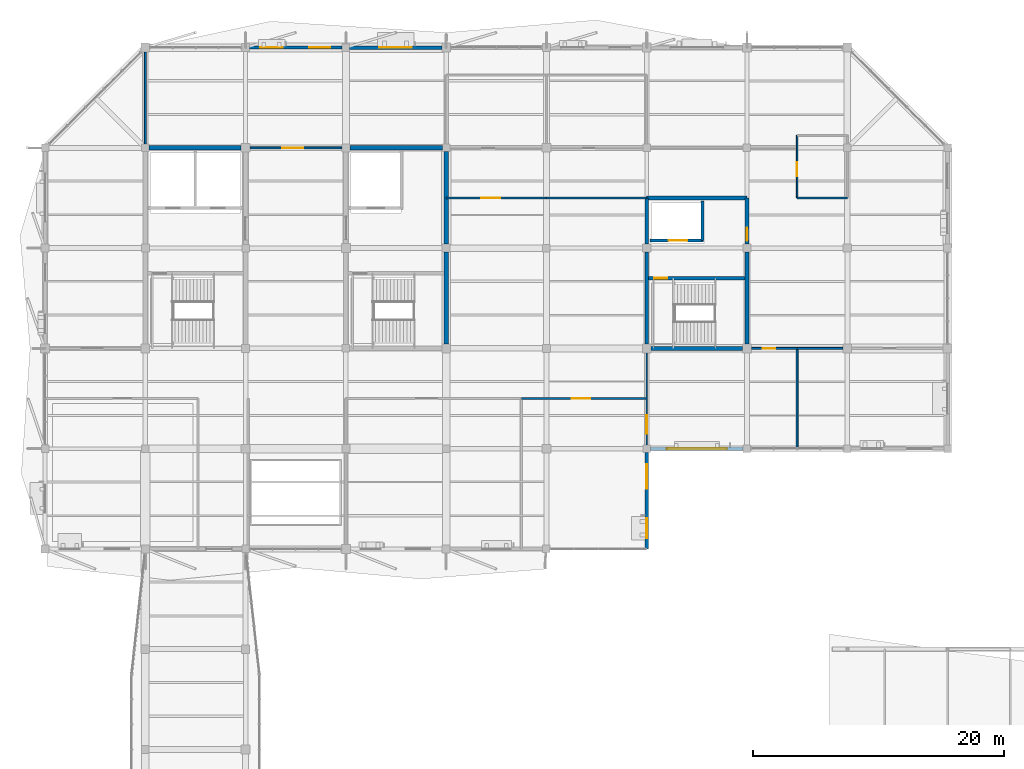
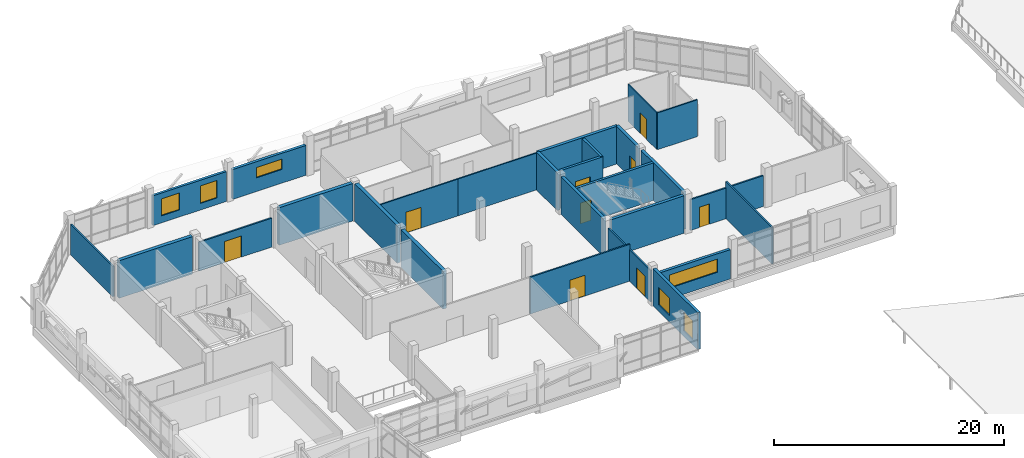
# One storey, part 74 of 84: 28 walls, 9 doors, 6 windows, 15 openings.
"""IFC4 building model written with IfcOpenShell, lengths in metres."""

from ifc_helpers import new_model, si_unit, direction, frame, frame_2d, origin, place, context, subcontext, project, spatial, rectangle, extrude, material, layer, layer_set, type_object, element, fill, save


model = new_model("IFC4")

# Units and contexts
model_context = context("Model", 3, precision=1e-05, world=origin(), true_north=direction((0.0, 1.0)))
body_context = subcontext(model_context, "Body", "Model", "MODEL_VIEW")
ifc_project = project(units=[si_unit("LENGTHUNIT", "METRE"), si_unit("AREAUNIT", "SQUARE_METRE"), si_unit("VOLUMEUNIT", "CUBIC_METRE"), si_unit("PLANEANGLEUNIT", "RADIAN"), si_unit("MASSUNIT", "GRAM", prefix="KILO")], contexts=[model_context])

# Site, building, storey
site_placement = place(None, origin())
site = spatial("IfcSite", under=ifc_project, at=site_placement, CompositionType="ELEMENT")
building_placement = place(site_placement, origin())
building = spatial("IfcBuilding", under=site, at=building_placement, Name="Tenunan Teduh Sports Hall", CompositionType="ELEMENT")
storey_placement = place(building_placement, frame((0.0, 0.0, 10.800048828125)))
storey = spatial("IfcBuildingStorey", under=building, at=storey_placement, Name="L02", CompositionType="ELEMENT", Elevation=10.800048828125)

# Wall, opening, door
ifc_material_1 = material(Name="Concrete C40/50", Category="concrete")
ifc_layer_1 = layer(ifc_material_1, 0.25)
ifc_layer_set_1 = layer_set([ifc_layer_1], Name="Concrete C40/50")
wall_type_1 = type_object("IfcWallType", Name="WL-COR-250", PredefinedType="SOLIDWALL", material=ifc_layer_set_1)
wall_1_placement = place(storey_placement, frame((54.14990234375, 99.60009765625, 0.0), z_axis=(0.0, 0.0, 1.0), x_axis=(1.0, 0.0, 0.0)))
wall_1 = element("IfcWall", 1, at=wall_1_placement, inside=storey, type_object=wall_type_1, Name="WL-COR-L02-142", PredefinedType="SOLIDWALL", context=body_context, shape_type="SweptSolid", body=[
    extrude(rectangle(XDim=7.7001953125, YDim=0.25, at=frame_2d((3.85009765625, 0.0))), origin(), (0.0, 0.0, 1.0), 3.97998046875),
])
opening_1_placement = place(wall_1_placement, frame((0.449951171875, 0.0, 0.0)))
opening_1 = element("IfcOpeningElement", 2, at=opening_1_placement, cuts=wall_1, Name="Opening FD-02", PredefinedType="OPENING", context=body_context, shape_type="SweptSolid", body=[
    extrude(rectangle(XDim=1.050048828125, YDim=2.199951171875, at=frame_2d((0.52490234375, 1.10009765625))), frame((0.0, 0.135009765625, 0.0), z_axis=(0.0, -1.0, 0.0), x_axis=(1.0, 0.0, 0.0)), (0.0, 0.0, 1.0), 0.27001953125),
])
ifc_material_2 = material(Name="Fire-rated steel leaf and frame", Category="steel")
door_type_1 = type_object("IfcDoorType", Name="FDR-02", OperationType="SINGLE_SWING_RIGHT", PredefinedType="DOOR", material=ifc_material_2)
door_1_placement = place(opening_1_placement, frame((1.050048828125, 0.0, 0.0), z_axis=(0.0, 0.0, 1.0), x_axis=(-1.0, 0.0, 0.0)))
door_1 = element("IfcDoor", 3, at=door_1_placement, inside=storey, type_object=door_type_1, Name="DR-INT-L02-054", OperationType="SINGLE_SWING_RIGHT", OverallHeight=2.199951171875, OverallWidth=1.050048828125, PredefinedType="DOOR", context=body_context, shape_type="SweptSolid", body=[
    extrude(rectangle(XDim=1.050048828125, YDim=2.199951171875, at=frame_2d((0.52490234375, 1.10009765625))), frame((0.0, 0.02490234375, 0.0), z_axis=(0.0, -1.0, 0.0), x_axis=(1.0, 0.0, 0.0)), (0.0, 0.0, 1.0), 0.050048828125),
])
fill(opening_1, door_1)

wall_2_placement = place(storey_placement, frame((54.25, 102.60009765625, 0.0), z_axis=(0.0, 0.0, 1.0), x_axis=(1.0, 0.0, 0.0)))
wall_2 = element("IfcWall", 4, at=wall_2_placement, inside=storey, type_object=wall_type_1, Name="WL-COR-L02-143", PredefinedType="SOLIDWALL", context=body_context, shape_type="SweptSolid", body=[
    extrude(rectangle(XDim=4.300048828125, YDim=0.25, at=frame_2d((2.14990234375, 0.0))), origin(), (0.0, 0.0, 1.0), 3.97998046875),
])
opening_2_placement = place(wall_2_placement, frame((1.5, 0.0, 0.0)))
opening_2 = element("IfcOpeningElement", 5, at=opening_2_placement, cuts=wall_2, Name="Opening LD-3", PredefinedType="OPENING", context=body_context, shape_type="SweptSolid", body=[
    extrude(rectangle(XDim=1.5, YDim=2.300048828125, at=frame_2d((0.75, 1.14990234375))), frame((0.0, 0.135009765625, 0.0), z_axis=(0.0, -1.0, 0.0), x_axis=(1.0, 0.0, 0.0)), (0.0, 0.0, 1.0), 0.27001953125),
])
ifc_material_3 = material(Name="Goods lift stainless landing doors")
door_type_2 = type_object("IfcDoorType", Name="LDR-03", OperationType="DOUBLE_DOOR_SLIDING", PredefinedType="DOOR", material=ifc_material_3)
door_2_placement = place(opening_2_placement, origin())
door_2 = element("IfcDoor", 6, at=door_2_placement, inside=storey, type_object=door_type_2, Name="Lift Landing Door LD-22", OperationType="DOUBLE_DOOR_SLIDING", OverallHeight=2.300048828125, OverallWidth=1.5, PredefinedType="DOOR", context=body_context, shape_type="SweptSolid", body=[
    extrude(rectangle(XDim=1.5, YDim=2.300048828125, at=frame_2d((0.75, 1.14990234375))), frame((0.0, 0.02490234375, 0.0), z_axis=(0.0, -1.0, 0.0), x_axis=(1.0, 0.0, 0.0)), (0.0, 0.0, 1.0), 0.050048828125),
])
fill(opening_2, door_2)

# Wall
wall_3_placement = place(storey_placement, frame((58.449951171875, 102.60009765625, 0.0), z_axis=(0.0, 0.0, 1.0), x_axis=(0.0, 1.0, 0.0)))
element("IfcWall", 7, at=wall_3_placement, inside=storey, type_object=wall_type_1, Name="WL-COR-L02-144", PredefinedType="SOLIDWALL", context=body_context, shape_type="SweptSolid", body=[
    extrude(rectangle(XDim=3.14990234375, YDim=0.25, at=frame_2d((1.574951171875, 0.0))), origin(), (0.0, 0.0, 1.0), 3.97998046875),
])

# Wall, openings, windows
ifc_material_4 = material(Name="Precast concrete C40/50", Category="concrete")
ifc_layer_2 = layer(ifc_material_4, 0.25)
ifc_layer_set_2 = layer_set([ifc_layer_2], Name="Precast concrete C40/50")
wall_type_2 = type_object("IfcWallType", Name="WL-EXT-250", PredefinedType="SOLIDWALL", material=ifc_layer_set_2)
wall_4_placement = place(storey_placement, frame((22.324951171875, 118.0, 0.0), z_axis=(0.0, 0.0, 1.0), x_axis=(1.0, 0.0, 0.0)))
wall_4 = element("IfcWall", 8, at=wall_4_placement, inside=storey, type_object=wall_type_2, Name="WL-EXT-L02-187", PredefinedType="SOLIDWALL", context=body_context, shape_type="SweptSolid", body=[
    extrude(rectangle(XDim=7.375, YDim=0.25, at=frame_2d((3.6875, 0.0))), origin(), (0.0, 0.0, 1.0), 3.159912109375),
])
opening_3_placement = place(wall_4_placement, frame((0.85009765625, 0.0, 0.75)))
opening_3 = element("IfcOpeningElement", 9, at=opening_3_placement, cuts=wall_4, Name="Opening W-02", PredefinedType="OPENING", context=body_context, shape_type="SweptSolid", body=[
    extrude(rectangle(XDim=1.800048828125, YDim=1.800048828125, at=frame_2d((0.89990234375, 0.89990234375))), frame((0.0, 0.135009765625, 0.0), z_axis=(0.0, -1.0, 0.0), x_axis=(1.0, 0.0, 0.0)), (0.0, 0.0, 1.0), 0.27001953125),
])
opening_4_placement = place(wall_4_placement, frame((4.77001953125, 0.0, 0.699951171875)))
opening_4 = element("IfcOpeningElement", 10, at=opening_4_placement, cuts=wall_4, Name="Opening W-19", PredefinedType="OPENING", context=body_context, shape_type="SweptSolid", body=[
    extrude(rectangle(XDim=1.64990234375, YDim=1.85009765625, at=frame_2d((0.824951171875, 0.925048828125))), frame((0.0, 0.135009765625, 0.0), z_axis=(0.0, -1.0, 0.0), x_axis=(1.0, 0.0, 0.0)), (0.0, 0.0, 1.0), 0.27001953125),
])
ifc_material_5 = material(Name="Thermally broken aluminium and Low-E glazing", Category="aluminium")
window_type_1 = type_object("IfcWindowType", Name="WIN-02", PartitioningType="DOUBLE_PANEL_VERTICAL", PredefinedType="WINDOW", material=ifc_material_5)
window_1_placement = place(opening_3_placement, origin())
window_1 = element("IfcWindow", 11, at=window_1_placement, inside=storey, type_object=window_type_1, Name="WIN-L02-080", OverallHeight=1.800048828125, OverallWidth=1.800048828125, PartitioningType="SINGLE_PANEL", PredefinedType="WINDOW", context=body_context, shape_type="SweptSolid", body=[
    extrude(rectangle(XDim=1.800048828125, YDim=1.800048828125, at=frame_2d((0.89990234375, 0.89990234375))), frame((0.0, 0.030029296875, 0.0), z_axis=(0.0, -1.0, 0.0), x_axis=(1.0, 0.0, 0.0)), (0.0, 0.0, 1.0), 0.06005859375),
])
fill(opening_3, window_1)
ifc_material_6 = material(Name="Thermally broken aluminium and Low-E glazing", Category="aluminium")
window_type_2 = type_object("IfcWindowType", Name="WIN-19", PartitioningType="DOUBLE_PANEL_VERTICAL", PredefinedType="WINDOW", material=ifc_material_6)
window_2_placement = place(opening_4_placement, origin())
window_2 = element("IfcWindow", 12, at=window_2_placement, inside=storey, type_object=window_type_2, Name="WIN-L02-081", OverallHeight=1.85009765625, OverallWidth=1.64990234375, PartitioningType="SINGLE_PANEL", PredefinedType="WINDOW", context=body_context, shape_type="SweptSolid", body=[
    extrude(rectangle(XDim=1.64990234375, YDim=1.85009765625, at=frame_2d((0.824951171875, 0.925048828125))), frame((0.0, 0.030029296875, 0.0), z_axis=(0.0, -1.0, 0.0), x_axis=(1.0, 0.0, 0.0)), (0.0, 0.0, 1.0), 0.06005859375),
])
fill(opening_4, window_2)

# Wall, opening, window
ifc_material_7 = material(Name="Concrete C40/50", Category="concrete")
ifc_layer_3 = layer(ifc_material_7, 0.280029296875)
ifc_layer_set_3 = layer_set([ifc_layer_3], Name="Concrete C40/50")
wall_type_3 = type_object("IfcWallType", Name="WL-EXT-280", PredefinedType="SOLIDWALL", material=ifc_layer_set_3)
wall_5_placement = place(storey_placement, frame((54.300048828125, 86.0, 0.0), z_axis=(0.0, 0.0, 1.0), x_axis=(1.0, 0.0, 0.0)))
wall_5 = element("IfcWall", 13, at=wall_5_placement, inside=storey, type_object=wall_type_3, Name="WL-EXT-L02-183", PredefinedType="SOLIDWALL", context=body_context, shape_type="SweptSolid", body=[
    extrude(rectangle(XDim=7.39990234375, YDim=0.280029296875, at=frame_2d((3.699951171875, 0.0))), origin(), (0.0, 0.0, 1.0), 3.10986328125),
])
opening_5_placement = place(wall_5_placement, frame((1.300048828125, 0.0, 1.14990234375)))
opening_5 = element("IfcOpeningElement", 14, at=opening_5_placement, cuts=wall_5, Name="Opening W-12", PredefinedType="OPENING", context=body_context, shape_type="SweptSolid", body=[
    extrude(rectangle(XDim=4.800048828125, YDim=1.39990234375, at=frame_2d((2.39990234375, 0.699951171875))), frame((0.0, 0.14990234375, 0.0), z_axis=(0.0, -1.0, 0.0), x_axis=(1.0, 0.0, 0.0)), (0.0, 0.0, 1.0), 0.300048828125),
])
ifc_material_8 = material(Name="Thermally broken aluminium and Low-E glazing", Category="aluminium")
window_type_3 = type_object("IfcWindowType", Name="WIN-12", PartitioningType="TRIPLE_PANEL_HORIZONTAL", PredefinedType="WINDOW", material=ifc_material_8)
window_3_placement = place(opening_5_placement, origin())
window_3 = element("IfcWindow", 15, at=window_3_placement, inside=storey, type_object=window_type_3, Name="WIN-L02-074", OverallHeight=1.39990234375, OverallWidth=4.800048828125, PartitioningType="SINGLE_PANEL", PredefinedType="WINDOW", context=body_context, shape_type="SweptSolid", body=[
    extrude(rectangle(XDim=4.800048828125, YDim=1.39990234375, at=frame_2d((2.39990234375, 0.699951171875))), frame((0.0, 0.030029296875, 0.0), z_axis=(0.0, -1.0, 0.0), x_axis=(1.0, 0.0, 0.0)), (0.0, 0.0, 1.0), 0.06005859375),
])
fill(opening_5, window_3)

wall_6_placement = place(storey_placement, frame((30.300048828125, 118.0, 0.0), z_axis=(0.0, 0.0, 1.0), x_axis=(1.0, 0.0, 0.0)))
wall_6 = element("IfcWall", 16, at=wall_6_placement, inside=storey, type_object=wall_type_3, Name="WL-EXT-L02-188", PredefinedType="SOLIDWALL", context=body_context, shape_type="SweptSolid", body=[
    extrude(rectangle(XDim=7.349853515625, YDim=0.280029296875, at=frame_2d((3.6748046875, 0.0))), origin(), (0.0, 0.0, 1.0), 3.159912109375),
])
opening_6_placement = place(wall_6_placement, frame((2.3701171875, 0.0, 1.449951171875)))
opening_6 = element("IfcOpeningElement", 17, at=opening_6_placement, cuts=wall_6, Name="Opening W-16", PredefinedType="OPENING", context=body_context, shape_type="SweptSolid", body=[
    extrude(rectangle(XDim=2.60009765625, YDim=1.10009765625, at=frame_2d((1.300048828125, 0.550048828125))), frame((0.0, 0.14990234375, 0.0), z_axis=(0.0, -1.0, 0.0), x_axis=(1.0, 0.0, 0.0)), (0.0, 0.0, 1.0), 0.300048828125),
])
ifc_material_9 = material(Name="Thermally broken aluminium and Low-E glazing", Category="aluminium")
window_type_4 = type_object("IfcWindowType", Name="WIN-16", PartitioningType="DOUBLE_PANEL_HORIZONTAL", PredefinedType="WINDOW", material=ifc_material_9)
window_4_placement = place(opening_6_placement, origin())
window_4 = element("IfcWindow", 18, at=window_4_placement, inside=storey, type_object=window_type_4, Name="WIN-L02-082", OverallHeight=1.10009765625, OverallWidth=2.60009765625, PartitioningType="SINGLE_PANEL", PredefinedType="WINDOW", context=body_context, shape_type="SweptSolid", body=[
    extrude(rectangle(XDim=2.60009765625, YDim=1.10009765625, at=frame_2d((1.300048828125, 0.550048828125))), frame((0.0, 0.030029296875, 0.0), z_axis=(0.0, -1.0, 0.0), x_axis=(1.0, 0.0, 0.0)), (0.0, 0.0, 1.0), 0.06005859375),
])
fill(opening_6, window_4)

# Wall, openings, windows
ifc_material_10 = material(Name="Concrete C40/50", Category="concrete")
ifc_layer_4 = layer(ifc_material_10, 0.2900390625)
ifc_layer_set_4 = layer_set([ifc_layer_4], Name="Concrete C40/50")
wall_type_4 = type_object("IfcWallType", Name="WL-EXT-290", PredefinedType="SOLIDWALL", material=ifc_layer_set_4)
wall_7_placement = place(storey_placement, frame((54.0, 78.0, 0.0), z_axis=(0.0, 0.0, 1.0), x_axis=(0.0, 1.0, 0.0)))
wall_7 = element("IfcWall", 19, at=wall_7_placement, inside=storey, type_object=wall_type_4, Name="WL-EXT-L02-182", PredefinedType="SOLIDWALL", context=body_context, shape_type="SweptSolid", body=[
    extrude(rectangle(XDim=7.699951171875, YDim=0.2900390625, at=frame_2d((3.85009765625, 0.0))), origin(), (0.0, 0.0, 1.0), 3.919921875),
])
opening_7_placement = place(wall_7_placement, frame((0.85009765625, 0.0, 0.550048828125)))
opening_7 = element("IfcOpeningElement", 20, at=opening_7_placement, cuts=wall_7, Name="Opening W-14", PredefinedType="OPENING", context=body_context, shape_type="SweptSolid", body=[
    extrude(rectangle(XDim=1.60009765625, YDim=2.0, at=frame_2d((0.800048828125, 1.0))), frame((0.0, 0.155029296875, 0.0), z_axis=(0.0, -1.0, 0.0), x_axis=(1.0, 0.0, 0.0)), (0.0, 0.0, 1.0), 0.31005859375),
])
opening_8_placement = place(wall_7_placement, frame((4.800048828125, 0.0, 0.699951171875)))
opening_8 = element("IfcOpeningElement", 21, at=opening_8_placement, cuts=wall_7, Name="Opening W-20", PredefinedType="OPENING", context=body_context, shape_type="SweptSolid", body=[
    extrude(rectangle(XDim=1.949951171875, YDim=1.85009765625, at=frame_2d((0.97509765625, 0.925048828125))), frame((0.0, 0.155029296875, 0.0), z_axis=(0.0, -1.0, 0.0), x_axis=(1.0, 0.0, 0.0)), (0.0, 0.0, 1.0), 0.31005859375),
])
ifc_material_11 = material(Name="Thermally broken aluminium and Low-E glazing", Category="aluminium")
window_type_5 = type_object("IfcWindowType", Name="WIN-14", PartitioningType="DOUBLE_PANEL_VERTICAL", PredefinedType="WINDOW", material=ifc_material_11)
window_5_placement = place(opening_7_placement, origin())
window_5 = element("IfcWindow", 22, at=window_5_placement, inside=storey, type_object=window_type_5, Name="WIN-L02-072", OverallHeight=2.0, OverallWidth=1.60009765625, PartitioningType="SINGLE_PANEL", PredefinedType="WINDOW", context=body_context, shape_type="SweptSolid", body=[
    extrude(rectangle(XDim=1.60009765625, YDim=2.0, at=frame_2d((0.800048828125, 1.0))), frame((0.0, 0.030029296875, 0.0), z_axis=(0.0, -1.0, 0.0), x_axis=(1.0, 0.0, 0.0)), (0.0, 0.0, 1.0), 0.06005859375),
])
fill(opening_7, window_5)
ifc_material_12 = material(Name="Thermally broken aluminium and Low-E glazing", Category="aluminium")
window_type_6 = type_object("IfcWindowType", Name="WIN-20", PartitioningType="DOUBLE_PANEL_VERTICAL", PredefinedType="WINDOW", material=ifc_material_12)
window_6_placement = place(opening_8_placement, origin())
window_6 = element("IfcWindow", 23, at=window_6_placement, inside=storey, type_object=window_type_6, Name="WIN-L02-073", OverallHeight=1.85009765625, OverallWidth=1.949951171875, PartitioningType="SINGLE_PANEL", PredefinedType="WINDOW", context=body_context, shape_type="SweptSolid", body=[
    extrude(rectangle(XDim=1.949951171875, YDim=1.85009765625, at=frame_2d((0.97509765625, 0.925048828125))), frame((0.0, 0.030029296875, 0.0), z_axis=(0.0, -1.0, 0.0), x_axis=(1.0, 0.0, 0.0)), (0.0, 0.0, 1.0), 0.06005859375),
])
fill(opening_8, window_6)

# Wall, opening, door
ifc_material_13 = material(Name="Moisture-resistant masonry", Category="masonry")
ifc_layer_5 = layer(ifc_material_13, 0.125)
ifc_layer_set_5 = layer_set([ifc_layer_5], Name="Moisture-resistant masonry")
wall_type_5 = type_object("IfcWallType", Name="WL-PRT-125", PredefinedType="PARTITIONING", material=ifc_layer_set_5)
wall_8_placement = place(storey_placement, frame((38.0, 106.0, 0.0), z_axis=(0.0, 0.0, 1.0), x_axis=(1.0, 0.0, 0.0)))
wall_8 = element("IfcWall", 24, at=wall_8_placement, inside=storey, type_object=wall_type_5, Name="WL-PRT-L02-425", PredefinedType="PARTITIONING", context=body_context, shape_type="SweptSolid", body=[
    extrude(rectangle(XDim=8.0, YDim=0.125, at=frame_2d((4.0, 0.0))), origin(), (0.0, 0.0, 1.0), 3.89990234375),
])
opening_9_placement = place(wall_8_placement, frame((2.800048828125, 0.0, 0.0)))
opening_9 = element("IfcOpeningElement", 25, at=opening_9_placement, cuts=wall_8, Name="Opening ID-04", PredefinedType="OPENING", context=body_context, shape_type="SweptSolid", body=[
    extrude(rectangle(XDim=1.5, YDim=2.199951171875, at=frame_2d((0.75, 1.10009765625))), frame((0.0, 0.072509765625, 0.0), z_axis=(0.0, -1.0, 0.0), x_axis=(1.0, 0.0, 0.0)), (0.0, 0.0, 1.0), 0.14501953125),
])
ifc_material_14 = material(Name="Acoustic studio timber pair", Category="wood")
door_type_3 = type_object("IfcDoorType", Name="IDR-04", OperationType="DOUBLE_DOOR_SINGLE_SWING", PredefinedType="DOOR", material=ifc_material_14)
door_3_placement = place(opening_9_placement, frame((1.5, 0.0, 0.0), z_axis=(0.0, 0.0, 1.0), x_axis=(-1.0, 0.0, 0.0)))
door_3 = element("IfcDoor", 26, at=door_3_placement, inside=storey, type_object=door_type_3, Name="DR-INT-L02-163", OperationType="DOUBLE_DOOR_SINGLE_SWING", OverallHeight=2.199951171875, OverallWidth=1.5, PredefinedType="DOOR", context=body_context, shape_type="SweptSolid", body=[
    extrude(rectangle(XDim=1.5, YDim=2.199951171875, at=frame_2d((0.75, 1.10009765625))), frame((0.0, 0.02490234375, 0.0), z_axis=(0.0, -1.0, 0.0), x_axis=(1.0, 0.0, 0.0)), (0.0, 0.0, 1.0), 0.050048828125),
])
fill(opening_9, door_3)

# Wall
wall_9_placement = place(storey_placement, frame((46.0, 106.0, 0.0), z_axis=(0.0, 0.0, 1.0), x_axis=(1.0, 0.0, 0.0)))
element("IfcWall", 27, at=wall_9_placement, inside=storey, type_object=wall_type_5, Name="WL-PRT-L02-426", PredefinedType="PARTITIONING", context=body_context, shape_type="SweptSolid", body=[
    extrude(rectangle(XDim=8.0, YDim=0.125, at=frame_2d((4.0, 0.0))), origin(), (0.0, 0.0, 1.0), 3.89990234375),
])

# Wall, opening, door
wall_10_placement = place(storey_placement, frame((66.0, 106.0, 0.0), z_axis=(0.0, 0.0, 1.0), x_axis=(0.0, 1.0, 0.0)))
wall_10 = element("IfcWall", 28, at=wall_10_placement, inside=storey, type_object=wall_type_5, Name="WL-PRT-L02-434", PredefinedType="PARTITIONING", context=body_context, shape_type="SweptSolid", body=[
    extrude(rectangle(XDim=5.0, YDim=0.125, at=frame_2d((2.5, 0.0))), origin(), (0.0, 0.0, 1.0), 3.89990234375),
])
opening_10_placement = place(wall_10_placement, frame((1.75, 0.0, 0.0)))
opening_10 = element("IfcOpeningElement", 29, at=opening_10_placement, cuts=wall_10, Name="Opening ID-06", PredefinedType="OPENING", context=body_context, shape_type="SweptSolid", body=[
    extrude(rectangle(XDim=1.10009765625, YDim=2.14990234375, at=frame_2d((0.550048828125, 1.074951171875))), frame((0.0, 0.072509765625, 0.0), z_axis=(0.0, -1.0, 0.0), x_axis=(1.0, 0.0, 0.0)), (0.0, 0.0, 1.0), 0.14501953125),
])
ifc_material_15 = material(Name="Accessible pocket sliding leaf")
door_type_4 = type_object("IfcDoorType", Name="IDR-06", OperationType="SLIDING_TO_RIGHT", PredefinedType="DOOR", material=ifc_material_15)
door_4_placement = place(opening_10_placement, frame((1.10009765625, 0.0, 0.0), z_axis=(0.0, 0.0, 1.0), x_axis=(-1.0, 0.0, 0.0)))
door_4 = element("IfcDoor", 30, at=door_4_placement, inside=storey, type_object=door_type_4, Name="DR-INT-L02-166", OperationType="SLIDING_TO_RIGHT", OverallHeight=2.14990234375, OverallWidth=1.10009765625, PredefinedType="DOOR", context=body_context, shape_type="SweptSolid", body=[
    extrude(rectangle(XDim=1.10009765625, YDim=2.14990234375, at=frame_2d((0.550048828125, 1.074951171875))), frame((0.0, 0.02490234375, 0.0), z_axis=(0.0, -1.0, 0.0), x_axis=(1.0, 0.0, 0.0)), (0.0, 0.0, 1.0), 0.050048828125),
])
fill(opening_10, door_4)

# Wall
wall_11_placement = place(storey_placement, frame((66.0, 106.0, 0.0), z_axis=(0.0, 0.0, 1.0), x_axis=(1.0, 0.0, 0.0)))
element("IfcWall", 31, at=wall_11_placement, inside=storey, type_object=wall_type_5, Name="WL-PRT-L02-437", PredefinedType="PARTITIONING", context=body_context, shape_type="SweptSolid", body=[
    extrude(rectangle(XDim=4.0, YDim=0.125, at=frame_2d((2.0, 0.0))), origin(), (0.0, 0.0, 1.0), 3.89990234375),
])

# Wall, opening, door
ifc_material_16 = material(Name="Acoustic stud and double plasterboard")
ifc_layer_6 = layer(ifc_material_16, 0.14990234375)
ifc_layer_set_6 = layer_set([ifc_layer_6], Name="Acoustic stud and double plasterboard")
wall_type_6 = type_object("IfcWallType", Name="WL-PRT-150", PredefinedType="PARTITIONING", material=ifc_layer_set_6)
wall_12_placement = place(storey_placement, frame((44.0, 90.0, 0.0), z_axis=(0.0, 0.0, 1.0), x_axis=(1.0, 0.0, 0.0)))
wall_12 = element("IfcWall", 32, at=wall_12_placement, inside=storey, type_object=wall_type_6, Name="WL-PRT-L02-419", PredefinedType="PARTITIONING", context=body_context, shape_type="SweptSolid", body=[
    extrude(rectangle(XDim=10.0, YDim=0.14990234375, at=frame_2d((5.0, 0.0))), origin(), (0.0, 0.0, 1.0), 3.89990234375),
])
opening_11_placement = place(wall_12_placement, frame((4.0, 0.0, 0.0)))
opening_11 = element("IfcOpeningElement", 33, at=opening_11_placement, cuts=wall_12, Name="Opening ID-04", PredefinedType="OPENING", context=body_context, shape_type="SweptSolid", body=[
    extrude(rectangle(XDim=1.5, YDim=2.199951171875, at=frame_2d((0.75, 1.10009765625))), frame((0.0, 0.0849609375, 0.0), z_axis=(0.0, -1.0, 0.0), x_axis=(1.0, 0.0, 0.0)), (0.0, 0.0, 1.0), 0.169921875),
])
door_5_placement = place(opening_11_placement, frame((1.5, 0.0, 0.0), z_axis=(0.0, 0.0, 1.0), x_axis=(-1.0, 0.0, 0.0)))
door_5 = element("IfcDoor", 34, at=door_5_placement, inside=storey, type_object=door_type_3, Name="DR-INT-L02-160", OperationType="DOUBLE_DOOR_SINGLE_SWING", OverallHeight=2.199951171875, OverallWidth=1.5, PredefinedType="DOOR", context=body_context, shape_type="SweptSolid", body=[
    extrude(rectangle(XDim=1.5, YDim=2.199951171875, at=frame_2d((0.75, 1.10009765625))), frame((0.0, 0.02490234375, 0.0), z_axis=(0.0, -1.0, 0.0), x_axis=(1.0, 0.0, 0.0)), (0.0, 0.0, 1.0), 0.050048828125),
])
fill(opening_11, door_5)

# Wall
wall_13_placement = place(storey_placement, frame((14.0, 110.300048828125, 0.0), z_axis=(0.0, 0.0, 1.0), x_axis=(0.0, 1.0, 0.0)))
element("IfcWall", 35, at=wall_13_placement, inside=storey, type_object=wall_type_6, Name="WL-PRT-L02-422", PredefinedType="PARTITIONING", context=body_context, shape_type="SweptSolid", body=[
    extrude(rectangle(XDim=7.349853515625, YDim=0.14990234375, at=frame_2d((3.6748046875, 0.0))), origin(), (0.0, 0.0, 1.0), 3.239990234375),
])

# Wall, opening, door
wall_14_placement = place(storey_placement, frame((22.35009765625, 110.0, 0.0), z_axis=(0.0, 0.0, 1.0), x_axis=(1.0, 0.0, 0.0)))
wall_14 = element("IfcWall", 36, at=wall_14_placement, inside=storey, type_object=wall_type_6, Name="WL-PRT-L02-424", PredefinedType="PARTITIONING", context=body_context, shape_type="SweptSolid", body=[
    extrude(rectangle(XDim=7.324951171875, YDim=0.14990234375, at=frame_2d((3.66259765625, 0.0))), origin(), (0.0, 0.0, 1.0), 3.06005859375),
])
opening_12_placement = place(wall_14_placement, frame((2.56005859375, 0.0, 0.0)))
opening_12 = element("IfcOpeningElement", 37, at=opening_12_placement, cuts=wall_14, Name="Opening ID-05", PredefinedType="OPENING", context=body_context, shape_type="SweptSolid", body=[
    extrude(rectangle(XDim=1.699951171875, YDim=2.25, at=frame_2d((0.85009765625, 1.125))), frame((0.0, 0.0849609375, 0.0), z_axis=(0.0, -1.0, 0.0), x_axis=(1.0, 0.0, 0.0)), (0.0, 0.0, 1.0), 0.169921875),
])
ifc_material_17 = material(Name="Glazed concourse pair")
door_type_5 = type_object("IfcDoorType", Name="IDR-05", OperationType="DOUBLE_DOOR_SINGLE_SWING", PredefinedType="DOOR", material=ifc_material_17)
door_6_placement = place(opening_12_placement, frame((1.699951171875, 0.0, 0.0), z_axis=(0.0, 0.0, 1.0), x_axis=(-1.0, 0.0, 0.0)))
door_6 = element("IfcDoor", 38, at=door_6_placement, inside=storey, type_object=door_type_5, Name="DR-INT-L02-162", OperationType="DOUBLE_DOOR_SINGLE_SWING", OverallHeight=2.25, OverallWidth=1.699951171875, PredefinedType="DOOR", context=body_context, shape_type="SweptSolid", body=[
    extrude(rectangle(XDim=1.699951171875, YDim=2.25, at=frame_2d((0.85009765625, 1.125))), frame((0.0, 0.02490234375, 0.0), z_axis=(0.0, -1.0, 0.0), x_axis=(1.0, 0.0, 0.0)), (0.0, 0.0, 1.0), 0.050048828125),
])
fill(opening_12, door_6)

wall_15_placement = place(storey_placement, frame((54.0, 86.300048828125, 0.0), z_axis=(0.0, 0.0, 1.0), x_axis=(0.0, 1.0, 0.0)))
wall_15 = element("IfcWall", 39, at=wall_15_placement, inside=storey, type_object=wall_type_6, Name="WL-PRT-L02-438", PredefinedType="PARTITIONING", context=body_context, shape_type="SweptSolid", body=[
    extrude(rectangle(XDim=7.349853515625, YDim=0.14990234375, at=frame_2d((3.6748046875, 0.0))), origin(), (0.0, 0.0, 1.0), 3.35986328125),
])
opening_13_placement = place(wall_15_placement, frame((0.8798828125, 0.0, 0.0)))
opening_13 = element("IfcOpeningElement", 40, at=opening_13_placement, cuts=wall_15, Name="Opening ID-04", PredefinedType="OPENING", context=body_context, shape_type="SweptSolid", body=[
    extrude(rectangle(XDim=1.5, YDim=2.199951171875, at=frame_2d((0.75, 1.10009765625))), frame((0.0, 0.0849609375, 0.0), z_axis=(0.0, -1.0, 0.0), x_axis=(1.0, 0.0, 0.0)), (0.0, 0.0, 1.0), 0.169921875),
])
door_7_placement = place(opening_13_placement, origin())
door_7 = element("IfcDoor", 41, at=door_7_placement, inside=storey, type_object=door_type_3, Name="DR-INT-L02-167", OperationType="DOUBLE_DOOR_SINGLE_SWING", OverallHeight=2.199951171875, OverallWidth=1.5, PredefinedType="DOOR", context=body_context, shape_type="SweptSolid", body=[
    extrude(rectangle(XDim=1.5, YDim=2.199951171875, at=frame_2d((0.75, 1.10009765625))), frame((0.0, 0.02490234375, 0.0), z_axis=(0.0, -1.0, 0.0), x_axis=(1.0, 0.0, 0.0)), (0.0, 0.0, 1.0), 0.050048828125),
])
fill(opening_13, door_7)

wall_16_placement = place(storey_placement, frame((62.35009765625, 94.0, 0.0), z_axis=(0.0, 0.0, 1.0), x_axis=(1.0, 0.0, 0.0)))
wall_16 = element("IfcWall", 42, at=wall_16_placement, inside=storey, type_object=wall_type_6, Name="WL-PRT-L02-439", PredefinedType="PARTITIONING", context=body_context, shape_type="SweptSolid", body=[
    extrude(rectangle(XDim=3.64990234375, YDim=0.14990234375, at=frame_2d((1.824951171875, 0.0))), origin(), (0.0, 0.0, 1.0), 3.260009765625),
])
opening_14_placement = place(wall_16_placement, frame((0.909912109375, 0.0, 0.0)))
opening_14 = element("IfcOpeningElement", 43, at=opening_14_placement, cuts=wall_16, Name="Opening ID-03", PredefinedType="OPENING", context=body_context, shape_type="SweptSolid", body=[
    extrude(rectangle(XDim=1.0, YDim=2.14990234375, at=frame_2d((0.5, 1.074951171875))), frame((0.0, 0.0849609375, 0.0), z_axis=(0.0, -1.0, 0.0), x_axis=(1.0, 0.0, 0.0)), (0.0, 0.0, 1.0), 0.169921875),
])
ifc_material_18 = material(Name="Accessible wide HPL leaf")
door_type_6 = type_object("IfcDoorType", Name="IDR-03", OperationType="SINGLE_SWING_LEFT", PredefinedType="DOOR", material=ifc_material_18)
door_8_placement = place(opening_14_placement, origin())
door_8 = element("IfcDoor", 44, at=door_8_placement, inside=storey, type_object=door_type_6, Name="DR-INT-L02-168", OperationType="SINGLE_SWING_LEFT", OverallHeight=2.14990234375, OverallWidth=1.0, PredefinedType="DOOR", context=body_context, shape_type="SweptSolid", body=[
    extrude(rectangle(XDim=1.0, YDim=2.14990234375, at=frame_2d((0.5, 1.074951171875))), frame((0.0, 0.02490234375, 0.0), z_axis=(0.0, -1.0, 0.0), x_axis=(1.0, 0.0, 0.0)), (0.0, 0.0, 1.0), 0.050048828125),
])
fill(opening_14, door_8)

# Walls
wall_17_placement = place(storey_placement, frame((66.0, 94.0, 0.0), z_axis=(0.0, 0.0, 1.0), x_axis=(1.0, 0.0, 0.0)))
element("IfcWall", 45, at=wall_17_placement, inside=storey, type_object=wall_type_6, Name="WL-PRT-L02-440", PredefinedType="PARTITIONING", context=body_context, shape_type="SweptSolid", body=[
    extrude(rectangle(XDim=3.64990234375, YDim=0.14990234375, at=frame_2d((1.824951171875, 0.0))), origin(), (0.0, 0.0, 1.0), 3.260009765625),
])
wall_18_placement = place(storey_placement, frame((66.0, 86.0, 0.0), z_axis=(0.0, 0.0, 1.0), x_axis=(0.0, 1.0, 0.0)))
element("IfcWall", 46, at=wall_18_placement, inside=storey, type_object=wall_type_6, Name="WL-PRT-L02-442", PredefinedType="PARTITIONING", context=body_context, shape_type="SweptSolid", body=[
    extrude(rectangle(XDim=8.0, YDim=0.14990234375, at=frame_2d((4.0, 0.0))), origin(), (0.0, 0.0, 1.0), 3.89990234375),
])
ifc_material_19 = material(Name="Concrete C40/50", Category="concrete")
ifc_layer_7 = layer(ifc_material_19, 0.300048828125)
ifc_layer_set_7 = layer_set([ifc_layer_7], Name="Concrete C40/50")
wall_type_7 = type_object("IfcWallType", Name="WL-SHR-300", PredefinedType="SHEAR", material=ifc_layer_set_7)
wall_19_placement = place(storey_placement, frame((54.35009765625, 94.0, 0.0), z_axis=(0.0, 0.0, 1.0), x_axis=(1.0, 0.0, 0.0)))
element("IfcWall", 47, at=wall_19_placement, inside=storey, type_object=wall_type_7, Name="WL-COR-L02-136", PredefinedType="SHEAR", context=body_context, shape_type="SweptSolid", body=[
    extrude(rectangle(XDim=7.2998046875, YDim=0.300048828125, at=frame_2d((3.64990234375, 0.0))), origin(), (0.0, 0.0, 1.0), 3.97998046875),
])
wall_20_placement = place(storey_placement, frame((54.0, 106.0, 0.0), z_axis=(0.0, 0.0, 1.0), x_axis=(1.0, 0.0, 0.0)))
element("IfcWall", 48, at=wall_20_placement, inside=storey, type_object=wall_type_7, Name="WL-COR-L02-137", PredefinedType="SHEAR", context=body_context, shape_type="SweptSolid", body=[
    extrude(rectangle(XDim=8.0, YDim=0.300048828125, at=frame_2d((4.0, 0.0))), origin(), (0.0, 0.0, 1.0), 3.97998046875),
])
wall_21_placement = place(storey_placement, frame((54.0, 94.35009765625, 0.0), z_axis=(0.0, 0.0, 1.0), x_axis=(0.0, 1.0, 0.0)))
element("IfcWall", 49, at=wall_21_placement, inside=storey, type_object=wall_type_7, Name="WL-COR-L02-138", PredefinedType="SHEAR", context=body_context, shape_type="SweptSolid", body=[
    extrude(rectangle(XDim=7.324951171875, YDim=0.300048828125, at=frame_2d((3.66259765625, 0.0))), origin(), (0.0, 0.0, 1.0), 3.97998046875),
])
wall_22_placement = place(storey_placement, frame((54.0, 102.324951171875, 0.0), z_axis=(0.0, 0.0, 1.0), x_axis=(0.0, 1.0, 0.0)))
element("IfcWall", 50, at=wall_22_placement, inside=storey, type_object=wall_type_7, Name="WL-COR-L02-139", PredefinedType="SHEAR", context=body_context, shape_type="SweptSolid", body=[
    extrude(rectangle(XDim=3.675048828125, YDim=0.300048828125, at=frame_2d((1.83740234375, 0.0))), origin(), (0.0, 0.0, 1.0), 3.97998046875),
])
wall_23_placement = place(storey_placement, frame((62.0, 94.35009765625, 0.0), z_axis=(0.0, 0.0, 1.0), x_axis=(0.0, 1.0, 0.0)))
element("IfcWall", 51, at=wall_23_placement, inside=storey, type_object=wall_type_7, Name="WL-COR-L02-140", PredefinedType="SHEAR", context=body_context, shape_type="SweptSolid", body=[
    extrude(rectangle(XDim=7.324951171875, YDim=0.300048828125, at=frame_2d((3.66259765625, 0.0))), origin(), (0.0, 0.0, 1.0), 3.97998046875),
])

# Wall, opening, door
wall_24_placement = place(storey_placement, frame((62.0, 102.324951171875, 0.0), z_axis=(0.0, 0.0, 1.0), x_axis=(0.0, 1.0, 0.0)))
wall_24 = element("IfcWall", 52, at=wall_24_placement, inside=storey, type_object=wall_type_7, Name="WL-COR-L02-141", PredefinedType="SHEAR", context=body_context, shape_type="SweptSolid", body=[
    extrude(rectangle(XDim=3.675048828125, YDim=0.300048828125, at=frame_2d((1.83740234375, 0.0))), origin(), (0.0, 0.0, 1.0), 3.97998046875),
])
opening_15_placement = place(wall_24_placement, frame((0.25, 0.0, 0.0)))
opening_15 = element("IfcOpeningElement", 53, at=opening_15_placement, cuts=wall_24, Name="Opening FD-02", PredefinedType="OPENING", context=body_context, shape_type="SweptSolid", body=[
    extrude(rectangle(XDim=1.050048828125, YDim=2.199951171875, at=frame_2d((0.52490234375, 1.10009765625))), frame((0.0, 0.159912109375, 0.0), z_axis=(0.0, -1.0, 0.0), x_axis=(1.0, 0.0, 0.0)), (0.0, 0.0, 1.0), 0.320068359375),
])
door_9_placement = place(opening_15_placement, frame((1.050048828125, 0.0, 0.0), z_axis=(0.0, 0.0, 1.0), x_axis=(-1.0, 0.0, 0.0)))
door_9 = element("IfcDoor", 54, at=door_9_placement, inside=storey, type_object=door_type_1, Name="DR-INT-L02-053", OperationType="SINGLE_SWING_LEFT", OverallHeight=2.199951171875, OverallWidth=1.050048828125, PredefinedType="DOOR", context=body_context, shape_type="SweptSolid", body=[
    extrude(rectangle(XDim=1.050048828125, YDim=2.199951171875, at=frame_2d((0.52490234375, 1.10009765625))), frame((0.0, 0.02490234375, 0.0), z_axis=(0.0, -1.0, 0.0), x_axis=(1.0, 0.0, 0.0)), (0.0, 0.0, 1.0), 0.050048828125),
])
fill(opening_15, door_9)

# Walls
ifc_material_20 = material(Name="Concrete C40/50", Category="concrete")
ifc_layer_8 = layer(ifc_material_20, 0.35009765625)
ifc_layer_set_8 = layer_set([ifc_layer_8], Name="Concrete C40/50")
wall_type_8 = type_object("IfcWallType", Name="WL-SHR-350", PredefinedType="SHEAR", material=ifc_layer_set_8)
wall_25_placement = place(storey_placement, frame((14.300048828125, 110.0, 0.0), z_axis=(0.0, 0.0, 1.0), x_axis=(1.0, 0.0, 0.0)))
element("IfcWall", 55, at=wall_25_placement, inside=storey, type_object=wall_type_8, Name="WL-COR-L02-029", PredefinedType="SHEAR", context=body_context, shape_type="SweptSolid", body=[
    extrude(rectangle(XDim=7.349853515625, YDim=0.35009765625, at=frame_2d((3.6748046875, 0.0))), origin(), (0.0, 0.0, 1.0), 3.97998046875),
])
wall_26_placement = place(storey_placement, frame((30.324951171875, 110.0, 0.0), z_axis=(0.0, 0.0, 1.0), x_axis=(1.0, 0.0, 0.0)))
element("IfcWall", 56, at=wall_26_placement, inside=storey, type_object=wall_type_8, Name="WL-COR-L02-083", PredefinedType="SHEAR", context=body_context, shape_type="SweptSolid", body=[
    extrude(rectangle(XDim=7.375, YDim=0.35009765625, at=frame_2d((3.6875, 0.0))), origin(), (0.0, 0.0, 1.0), 3.97998046875),
])
wall_27_placement = place(storey_placement, frame((38.0, 94.35009765625, 0.0), z_axis=(0.0, 0.0, 1.0), x_axis=(0.0, 1.0, 0.0)))
element("IfcWall", 57, at=wall_27_placement, inside=storey, type_object=wall_type_8, Name="WL-COR-L02-086", PredefinedType="SHEAR", context=body_context, shape_type="SweptSolid", body=[
    extrude(rectangle(XDim=7.324951171875, YDim=0.35009765625, at=frame_2d((3.66259765625, 0.0))), origin(), (0.0, 0.0, 1.0), 3.97998046875),
])
wall_28_placement = place(storey_placement, frame((38.0, 102.324951171875, 0.0), z_axis=(0.0, 0.0, 1.0), x_axis=(0.0, 1.0, 0.0)))
element("IfcWall", 58, at=wall_28_placement, inside=storey, type_object=wall_type_8, Name="WL-COR-L02-087", PredefinedType="SHEAR", context=body_context, shape_type="SweptSolid", body=[
    extrude(rectangle(XDim=7.375, YDim=0.35009765625, at=frame_2d((3.6875, 0.0))), origin(), (0.0, 0.0, 1.0), 3.97998046875),
])

save(model, "model.ifc")
